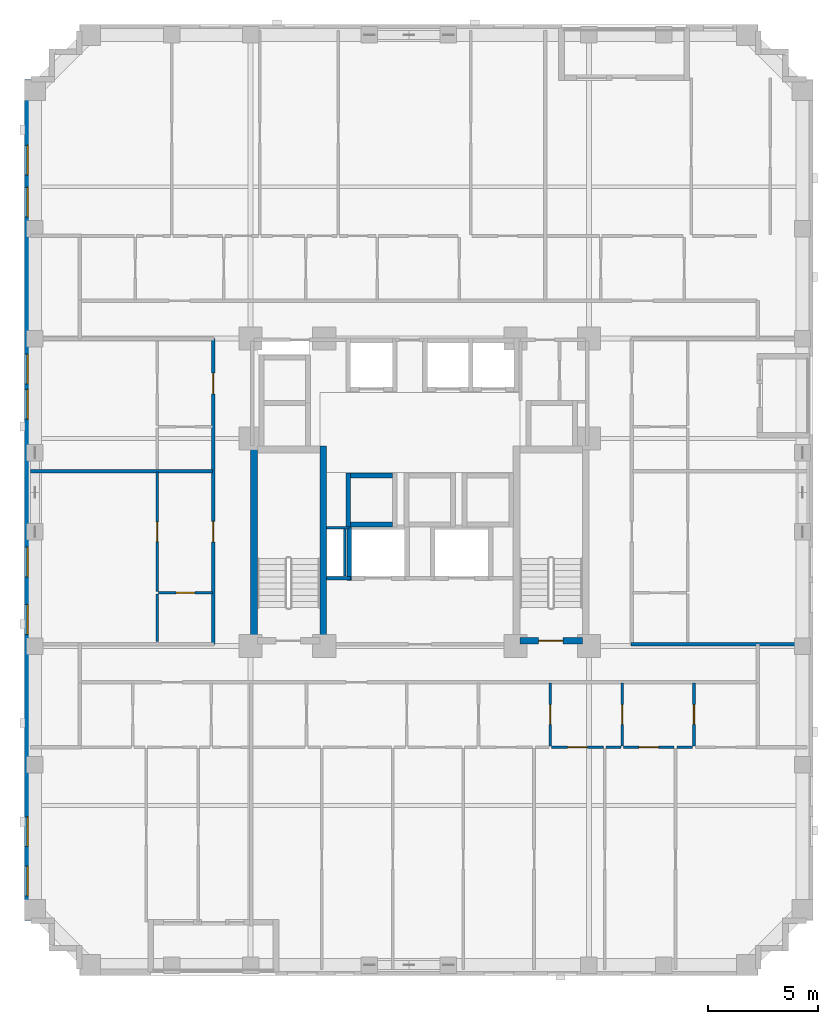
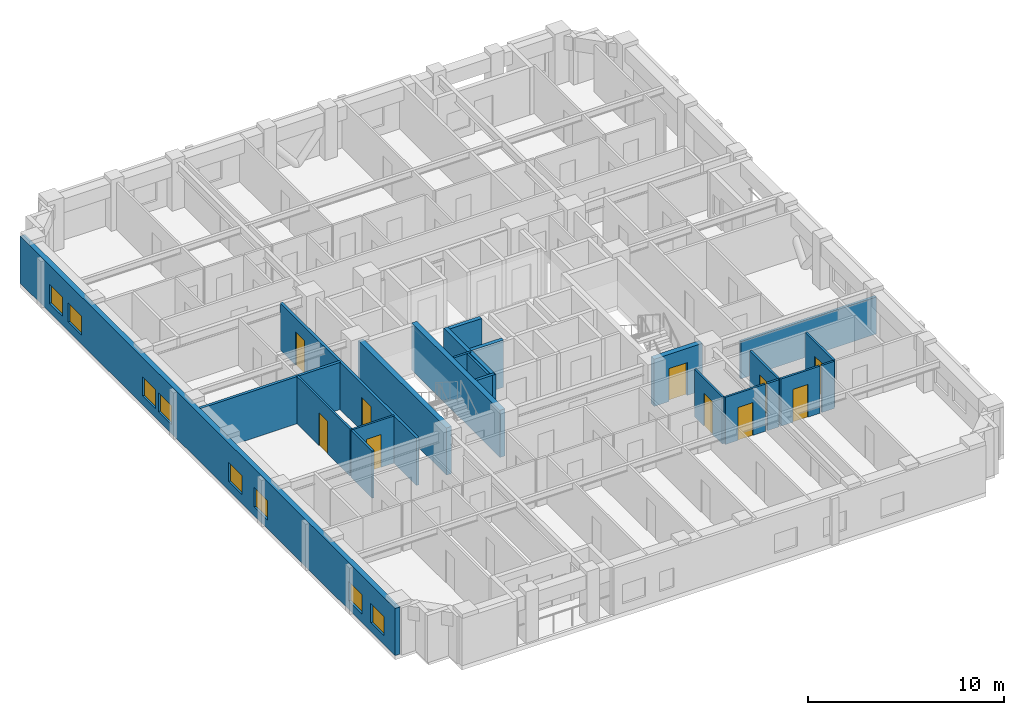
# One storey, part 4 of 12: 24 walls, 10 doors, 8 windows, 18 openings.
"""IFC4 building model written with IfcOpenShell, lengths in metres."""

from ifc_helpers import new_model, si_unit, derived_unit, direction, frame, frame_2d, origin, place, context, subcontext, project, spatial, rectangle, extrude, material, layer, layer_set, type_object, element, fill, save


model = new_model("IFC4")

# Units and contexts
model_context = context("Model", 3, precision=1e-05, world=origin(), true_north=direction((0.0, 1.0)))
body_context = subcontext(model_context, "Body", "Model", "MODEL_VIEW")
ifc_project = project(units=[si_unit("LENGTHUNIT", "METRE"), si_unit("AREAUNIT", "SQUARE_METRE"), si_unit("VOLUMEUNIT", "CUBIC_METRE"), si_unit("PLANEANGLEUNIT", "RADIAN"), si_unit("MASSUNIT", "GRAM", prefix="KILO"), derived_unit("THERMALTRANSMITTANCEUNIT", [(si_unit("MASSUNIT", "GRAM", prefix="KILO"), 1), (si_unit("TIMEUNIT", "SECOND"), -3), (si_unit("THERMODYNAMICTEMPERATUREUNIT", "KELVIN"), -1)])], contexts=[model_context])

# Site, building, storey
site_placement = place(None, origin())
site = spatial("IfcSite", under=ifc_project, at=site_placement, CompositionType="ELEMENT")
building_placement = place(site_placement, origin())
building = spatial("IfcBuilding", under=site, at=building_placement, Name="Korrvale Station Residences", CompositionType="ELEMENT")
storey_placement = place(building_placement, frame((0.0, 0.0, 110.300048828125)))
storey = spatial("IfcBuildingStorey", under=building, at=storey_placement, Name="L31", CompositionType="ELEMENT", Elevation=110.300048828125)

# Walls
ifc_material_1 = material(Name="Concrete C60/75", Category="concrete")
ifc_layer_1 = layer(ifc_material_1, 0.300048828125, Name="Concrete C60/75")
ifc_layer_set_1 = layer_set([ifc_layer_1], Name="Concrete C60/75")
wall_type_1 = type_object("IfcWallType", Name="WAL-CORE-300-C60", PredefinedType="SHEAR", material=ifc_layer_set_1)
for number, where, z_axis, x_axis, name in (
    (1, (17.949951171875, 15.10009765625, 0.0), (0.0, 0.0, 1.0), (0.0, 1.0, 0.0), "L31 ST-1 Core Shear Wall West"),
    (2, (21.10009765625, 15.10009765625, 0.0), (0.0, 0.0, 1.0), (0.0, 1.0, 0.0), "L31 ST-1 Core Shear Wall East"),
):
    element("IfcWall", number, at=place(storey_placement, frame(where, z_axis=z_axis, x_axis=x_axis)), inside=storey, type_object=wall_type_1, Name=name, PredefinedType="SHEAR", context=body_context, shape_type="SweptSolid", body=[
        extrude(rectangle(XDim=9.0, YDim=0.300048828125, at=frame_2d((4.5, 0.0))), origin(), (0.0, 0.0, 1.0), 2.93994140625),
    ])

# Wall, opening, door
wall_1_placement = place(storey_placement, frame((30.050048828125, 15.25, 0.0), z_axis=(0.0, 0.0, 1.0), x_axis=(1.0, 0.0, 0.0)))
wall_1 = element("IfcWall", 3, at=wall_1_placement, inside=storey, type_object=wall_type_1, Name="L31 ST-2 Core Shear Wall South", PredefinedType="SHEAR", context=body_context, shape_type="SweptSolid", body=[
    extrude(rectangle(XDim=2.849853515625, YDim=0.300048828125, at=frame_2d((1.4248046875, 0.0))), origin(), (0.0, 0.0, 1.0), 2.93994140625),
])
opening_1_placement = place(wall_1_placement, frame((0.860107421875, 0.0, 0.0)))
opening_1 = element("IfcOpeningElement", 4, at=opening_1_placement, cuts=wall_1, Name="Opening SD-1100", PredefinedType="OPENING", context=body_context, shape_type="SweptSolid", body=[
    extrude(rectangle(XDim=1.10009765625, YDim=2.050048828125, at=frame_2d((0.550048828125, 1.02490234375))), frame((0.0, 0.16015625, 0.0), z_axis=(0.0, -1.0, 0.0), x_axis=(1.0, 0.0, 0.0)), (0.0, 0.0, 1.0), 0.320068359375),
])
ifc_material_2 = material(Name="Hollow-metal fire-rated stair door with closer", Category="steel")
door_type_1 = type_object("IfcDoorType", Name="DR-STAIR-1100", OperationType="NOTDEFINED", PredefinedType="DOOR", material=ifc_material_2)
door_1_placement = place(opening_1_placement, origin())
door_1 = element("IfcDoor", 5, at=door_1_placement, inside=storey, type_object=door_type_1, Name="L31 ST-2 Exit Stair Door", OperationType="SINGLE_SWING_RIGHT", OverallHeight=2.050048828125, OverallWidth=1.10009765625, PredefinedType="DOOR", context=body_context, shape_type="SweptSolid", body=[
    extrude(rectangle(XDim=1.10009765625, YDim=2.050048828125, at=frame_2d((0.550048828125, 1.02490234375))), frame((0.0, 0.02490234375, 0.0), z_axis=(0.0, -1.0, 0.0), x_axis=(1.0, 0.0, 0.0)), (0.0, 0.0, 1.0), 0.050048828125),
])
fill(opening_1, door_1)

# Wall, openings, windows
ifc_material_3 = material(Name="Precast concrete C45/55", Category="concrete")
ifc_layer_2 = layer(ifc_material_3, 0.300048828125, Name="Precast concrete C45/55")
ifc_layer_set_2 = layer_set([ifc_layer_2], Name="Precast concrete C45/55")
wall_type_2 = type_object("IfcWallType", Name="WAL-EXT-PC300", PredefinedType="SOLIDWALL", material=ifc_layer_set_2)
wall_2_placement = place(storey_placement, frame((7.64990234375, 2.5, 0.0), z_axis=(0.0, 0.0, 1.0), x_axis=(0.0, 1.0, 0.0)))
wall_2 = element("IfcWall", 6, at=wall_2_placement, inside=storey, type_object=wall_type_2, Name="L31 West Exterior Precast Wall 1", PredefinedType="SOLIDWALL", context=body_context, shape_type="SweptSolid", body=[
    extrude(rectangle(XDim=38.300048828125, YDim=0.300048828125, at=frame_2d((19.14990234375, 0.0))), origin(), (0.0, 0.0, 1.0), 2.93994140625),
])
opening_2_placement = place(wall_2_placement, frame((3.3798828125, 0.0, 0.550048828125)))
opening_2 = element("IfcOpeningElement", 7, at=opening_2_placement, cuts=wall_2, Name="Opening W-10", PredefinedType="OPENING", context=body_context, shape_type="SweptSolid", body=[
    extrude(rectangle(XDim=1.35009765625, YDim=1.199951171875, at=frame_2d((0.675048828125, 0.60009765625))), frame((0.0, 0.16015625, 0.0), z_axis=(0.0, -1.0, 0.0), x_axis=(1.0, 0.0, 0.0)), (0.0, 0.0, 1.0), 0.320068359375),
])
opening_3_placement = place(wall_2_placement, frame((1.135009765625, 0.0, 0.550048828125)))
opening_3 = element("IfcOpeningElement", 8, at=opening_3_placement, cuts=wall_2, Name="Opening W-10", PredefinedType="OPENING", context=body_context, shape_type="SweptSolid", body=[
    extrude(rectangle(XDim=1.35009765625, YDim=1.199951171875, at=frame_2d((0.675048828125, 0.60009765625))), frame((0.0, 0.16015625, 0.0), z_axis=(0.0, -1.0, 0.0), x_axis=(1.0, 0.0, 0.0)), (0.0, 0.0, 1.0), 0.320068359375),
])
opening_4_placement = place(wall_2_placement, frame((33.946044921875, 0.0, 0.550048828125)))
opening_4 = element("IfcOpeningElement", 9, at=opening_4_placement, cuts=wall_2, Name="Opening W-10", PredefinedType="OPENING", context=body_context, shape_type="SweptSolid", body=[
    extrude(rectangle(XDim=1.35009765625, YDim=1.199951171875, at=frame_2d((0.675048828125, 0.60009765625))), frame((0.0, 0.16015625, 0.0), z_axis=(0.0, -1.0, 0.0), x_axis=(1.0, 0.0, 0.0)), (0.0, 0.0, 1.0), 0.320068359375),
])
opening_5_placement = place(wall_2_placement, frame((32.034912109375, 0.0, 0.550048828125)))
opening_5 = element("IfcOpeningElement", 10, at=opening_5_placement, cuts=wall_2, Name="Opening W-10", PredefinedType="OPENING", context=body_context, shape_type="SweptSolid", body=[
    extrude(rectangle(XDim=1.35009765625, YDim=1.199951171875, at=frame_2d((0.675048828125, 0.60009765625))), frame((0.0, 0.16015625, 0.0), z_axis=(0.0, -1.0, 0.0), x_axis=(1.0, 0.0, 0.0)), (0.0, 0.0, 1.0), 0.320068359375),
])
opening_6_placement = place(wall_2_placement, frame((15.64990234375, 0.0, 0.550048828125)))
opening_6 = element("IfcOpeningElement", 11, at=opening_6_placement, cuts=wall_2, Name="Opening W-10", PredefinedType="OPENING", context=body_context, shape_type="SweptSolid", body=[
    extrude(rectangle(XDim=1.35009765625, YDim=1.199951171875, at=frame_2d((0.675048828125, 0.60009765625))), frame((0.0, 0.16015625, 0.0), z_axis=(0.0, -1.0, 0.0), x_axis=(1.0, 0.0, 0.0)), (0.0, 0.0, 1.0), 0.320068359375),
])
opening_7_placement = place(wall_2_placement, frame((13.034912109375, 0.0, 0.550048828125)))
opening_7 = element("IfcOpeningElement", 12, at=opening_7_placement, cuts=wall_2, Name="Opening W-10", PredefinedType="OPENING", context=body_context, shape_type="SweptSolid", body=[
    extrude(rectangle(XDim=1.35009765625, YDim=1.199951171875, at=frame_2d((0.675048828125, 0.60009765625))), frame((0.0, 0.16015625, 0.0), z_axis=(0.0, -1.0, 0.0), x_axis=(1.0, 0.0, 0.0)), (0.0, 0.0, 1.0), 0.320068359375),
])
opening_8_placement = place(wall_2_placement, frame((22.8310546875, 0.0, 0.550048828125)))
opening_8 = element("IfcOpeningElement", 13, at=opening_8_placement, cuts=wall_2, Name="Opening W-10", PredefinedType="OPENING", context=body_context, shape_type="SweptSolid", body=[
    extrude(rectangle(XDim=1.35009765625, YDim=1.199951171875, at=frame_2d((0.675048828125, 0.60009765625))), frame((0.0, 0.16015625, 0.0), z_axis=(0.0, -1.0, 0.0), x_axis=(1.0, 0.0, 0.0)), (0.0, 0.0, 1.0), 0.320068359375),
])
opening_9_placement = place(wall_2_placement, frame((24.44091796875, 0.0, 0.550048828125)))
opening_9 = element("IfcOpeningElement", 14, at=opening_9_placement, cuts=wall_2, Name="Opening W-10", PredefinedType="OPENING", context=body_context, shape_type="SweptSolid", body=[
    extrude(rectangle(XDim=1.35009765625, YDim=1.199951171875, at=frame_2d((0.675048828125, 0.60009765625))), frame((0.0, 0.16015625, 0.0), z_axis=(0.0, -1.0, 0.0), x_axis=(1.0, 0.0, 0.0)), (0.0, 0.0, 1.0), 0.320068359375),
])
ifc_material_4 = material(Name="Thermally broken aluminium frame with triple low-e glazing", Category="aluminium")
window_type = type_object("IfcWindowType", Name="WIN-W10", PartitioningType="SINGLE_PANEL", PredefinedType="WINDOW", material=ifc_material_4)
window_1_placement = place(opening_2_placement, origin())
window_1 = element("IfcWindow", 15, at=window_1_placement, inside=storey, type_object=window_type, Name="L31 Punched Window 01", OverallHeight=1.199951171875, OverallWidth=1.35009765625, PartitioningType="SINGLE_PANEL", PredefinedType="WINDOW", context=body_context, shape_type="SweptSolid", body=[
    extrude(rectangle(XDim=1.35009765625, YDim=1.199951171875, at=frame_2d((0.675048828125, 0.60009765625))), frame((0.0, 0.030029296875, 0.0), z_axis=(0.0, -1.0, 0.0), x_axis=(1.0, 0.0, 0.0)), (0.0, 0.0, 1.0), 0.06005859375),
])
fill(opening_2, window_1)
window_2_placement = place(opening_3_placement, origin())
window_2 = element("IfcWindow", 16, at=window_2_placement, inside=storey, type_object=window_type, Name="L31 Punched Window 02", OverallHeight=1.199951171875, OverallWidth=1.35009765625, PartitioningType="SINGLE_PANEL", PredefinedType="WINDOW", context=body_context, shape_type="SweptSolid", body=[
    extrude(rectangle(XDim=1.35009765625, YDim=1.199951171875, at=frame_2d((0.675048828125, 0.60009765625))), frame((0.0, 0.030029296875, 0.0), z_axis=(0.0, -1.0, 0.0), x_axis=(1.0, 0.0, 0.0)), (0.0, 0.0, 1.0), 0.06005859375),
])
fill(opening_3, window_2)
window_3_placement = place(opening_4_placement, origin())
window_3 = element("IfcWindow", 17, at=window_3_placement, inside=storey, type_object=window_type, Name="L31 Punched Window 12", OverallHeight=1.199951171875, OverallWidth=1.35009765625, PartitioningType="SINGLE_PANEL", PredefinedType="WINDOW", context=body_context, shape_type="SweptSolid", body=[
    extrude(rectangle(XDim=1.35009765625, YDim=1.199951171875, at=frame_2d((0.675048828125, 0.60009765625))), frame((0.0, 0.030029296875, 0.0), z_axis=(0.0, -1.0, 0.0), x_axis=(1.0, 0.0, 0.0)), (0.0, 0.0, 1.0), 0.06005859375),
])
fill(opening_4, window_3)
window_4_placement = place(opening_5_placement, origin())
window_4 = element("IfcWindow", 18, at=window_4_placement, inside=storey, type_object=window_type, Name="L31 Punched Window 13", OverallHeight=1.199951171875, OverallWidth=1.35009765625, PartitioningType="SINGLE_PANEL", PredefinedType="WINDOW", context=body_context, shape_type="SweptSolid", body=[
    extrude(rectangle(XDim=1.35009765625, YDim=1.199951171875, at=frame_2d((0.675048828125, 0.60009765625))), frame((0.0, 0.030029296875, 0.0), z_axis=(0.0, -1.0, 0.0), x_axis=(1.0, 0.0, 0.0)), (0.0, 0.0, 1.0), 0.06005859375),
])
fill(opening_5, window_4)
window_5_placement = place(opening_6_placement, origin())
window_5 = element("IfcWindow", 19, at=window_5_placement, inside=storey, type_object=window_type, Name="L31 Punched Window 19", OverallHeight=1.199951171875, OverallWidth=1.35009765625, PartitioningType="SINGLE_PANEL", PredefinedType="WINDOW", context=body_context, shape_type="SweptSolid", body=[
    extrude(rectangle(XDim=1.35009765625, YDim=1.199951171875, at=frame_2d((0.675048828125, 0.60009765625))), frame((0.0, 0.030029296875, 0.0), z_axis=(0.0, -1.0, 0.0), x_axis=(1.0, 0.0, 0.0)), (0.0, 0.0, 1.0), 0.06005859375),
])
fill(opening_6, window_5)
window_6_placement = place(opening_7_placement, origin())
window_6 = element("IfcWindow", 20, at=window_6_placement, inside=storey, type_object=window_type, Name="L31 Punched Window 20", OverallHeight=1.199951171875, OverallWidth=1.35009765625, PartitioningType="SINGLE_PANEL", PredefinedType="WINDOW", context=body_context, shape_type="SweptSolid", body=[
    extrude(rectangle(XDim=1.35009765625, YDim=1.199951171875, at=frame_2d((0.675048828125, 0.60009765625))), frame((0.0, 0.030029296875, 0.0), z_axis=(0.0, -1.0, 0.0), x_axis=(1.0, 0.0, 0.0)), (0.0, 0.0, 1.0), 0.06005859375),
])
fill(opening_7, window_6)
window_7_placement = place(opening_8_placement, origin())
window_7 = element("IfcWindow", 21, at=window_7_placement, inside=storey, type_object=window_type, Name="L31 Punched Window 21", OverallHeight=1.199951171875, OverallWidth=1.35009765625, PartitioningType="SINGLE_PANEL", PredefinedType="WINDOW", context=body_context, shape_type="SweptSolid", body=[
    extrude(rectangle(XDim=1.35009765625, YDim=1.199951171875, at=frame_2d((0.675048828125, 0.60009765625))), frame((0.0, 0.030029296875, 0.0), z_axis=(0.0, -1.0, 0.0), x_axis=(1.0, 0.0, 0.0)), (0.0, 0.0, 1.0), 0.06005859375),
])
fill(opening_8, window_7)
window_8_placement = place(opening_9_placement, origin())
window_8 = element("IfcWindow", 22, at=window_8_placement, inside=storey, type_object=window_type, Name="L31 Punched Window 22", OverallHeight=1.199951171875, OverallWidth=1.35009765625, PartitioningType="SINGLE_PANEL", PredefinedType="WINDOW", context=body_context, shape_type="SweptSolid", body=[
    extrude(rectangle(XDim=1.35009765625, YDim=1.199951171875, at=frame_2d((0.675048828125, 0.60009765625))), frame((0.0, 0.030029296875, 0.0), z_axis=(0.0, -1.0, 0.0), x_axis=(1.0, 0.0, 0.0)), (0.0, 0.0, 1.0), 0.06005859375),
])
fill(opening_9, window_8)

# Walls
ifc_material_5 = material(Name="Acoustic steel-stud gypsum board partition", Category="steel")
ifc_layer_3 = layer(ifc_material_5, 0.1201171875, Name="Acoustic steel-stud gypsum board partition")
ifc_layer_set_3 = layer_set([ifc_layer_3], Name="Acoustic steel-stud gypsum board partition")
wall_type_3 = type_object("IfcWallType", Name="WAL-PART-125", PredefinedType="PARTITIONING", material=ifc_layer_set_3)
wall_3_placement = place(storey_placement, frame((22.080078125, 18.199951171875, 0.0), z_axis=(0.0, 0.0, 1.0), x_axis=(0.0, 1.0, 0.0)))
element("IfcWall", 23, at=wall_3_placement, inside=storey, type_object=wall_type_3, Name="L31 Core Partition CW-RSWT", PredefinedType="PARTITIONING", context=body_context, shape_type="SweptSolid", body=[
    extrude(rectangle(XDim=2.1201171875, YDim=0.1201171875, at=frame_2d((1.06005859375, 0.0))), origin(), (0.0, 0.0, 1.0), 2.93994140625),
])
wall_4_placement = place(storey_placement, frame((22.280029296875, 20.3798828125, 0.0), z_axis=(0.0, 0.0, 1.0), x_axis=(-1.0, 0.0, 0.0)))
element("IfcWall", 24, at=wall_4_placement, inside=storey, type_object=wall_type_3, Name="L31 Core Partition CW-RSWT-N", PredefinedType="PARTITIONING", context=body_context, shape_type="SweptSolid", body=[
    extrude(rectangle(XDim=1.02001953125, YDim=0.1201171875, at=frame_2d((0.510009765625, 0.0))), origin(), (0.0, 0.0, 1.0), 2.93994140625),
])

# Wall, opening, door
wall_5_placement = place(storey_placement, frame((31.43994140625, 10.4599609375, 0.0), z_axis=(0.0, 0.0, 1.0), x_axis=(0.0, 1.0, 0.0)))
wall_5 = element("IfcWall", 25, at=wall_5_placement, inside=storey, type_object=wall_type_3, Name="L31 Suite Partition U02-V34", PredefinedType="PARTITIONING", context=body_context, shape_type="SweptSolid", body=[
    extrude(rectangle(XDim=2.85009765625, YDim=0.1201171875, at=frame_2d((1.425048828125, 0.0))), origin(), (0.0, 0.0, 1.0), 2.93994140625),
])
opening_10_placement = place(wall_5_placement, frame((0.97509765625, 0.0, 0.0)))
opening_10 = element("IfcOpeningElement", 26, at=opening_10_placement, cuts=wall_5, Name="Opening DI-900", PredefinedType="OPENING", context=body_context, shape_type="SweptSolid", body=[
    extrude(rectangle(XDim=0.89990234375, YDim=2.050048828125, at=frame_2d((0.449951171875, 1.02490234375))), frame((0.0, 0.070068359375, 0.0), z_axis=(0.0, -1.0, 0.0), x_axis=(1.0, 0.0, 0.0)), (0.0, 0.0, 1.0), 0.14013671875),
])
ifc_material_6 = material(Name="Painted solid-core timber interior room door", Category="wood")
door_type_2 = type_object("IfcDoorType", Name="DR-INT-900", OperationType="NOTDEFINED", PredefinedType="DOOR", material=ifc_material_6)
door_2_placement = place(opening_10_placement, origin())
door_2 = element("IfcDoor", 27, at=door_2_placement, inside=storey, type_object=door_type_2, Name="L31 Studio Apartment L31-U02 Home Study Room Door", OperationType="SINGLE_SWING_LEFT", OverallHeight=2.050048828125, OverallWidth=0.89990234375, PredefinedType="DOOR", context=body_context, shape_type="SweptSolid", body=[
    extrude(rectangle(XDim=0.89990234375, YDim=2.050048828125, at=frame_2d((0.449951171875, 1.02490234375))), frame((0.0, 0.02490234375, 0.0), z_axis=(0.0, -1.0, 0.0), x_axis=(1.0, 0.0, 0.0)), (0.0, 0.0, 1.0), 0.050048828125),
])
fill(opening_10, door_2)

wall_6_placement = place(storey_placement, frame((34.7099609375, 10.4599609375, 0.0), z_axis=(0.0, 0.0, 1.0), x_axis=(0.0, 1.0, 0.0)))
wall_6 = element("IfcWall", 28, at=wall_6_placement, inside=storey, type_object=wall_type_3, Name="L31 Suite Partition U02-V45", PredefinedType="PARTITIONING", context=body_context, shape_type="SweptSolid", body=[
    extrude(rectangle(XDim=2.85009765625, YDim=0.1201171875, at=frame_2d((1.425048828125, 0.0))), origin(), (0.0, 0.0, 1.0), 2.93994140625),
])
opening_11_placement = place(wall_6_placement, frame((0.97509765625, 0.0, 0.0)))
opening_11 = element("IfcOpeningElement", 29, at=opening_11_placement, cuts=wall_6, Name="Opening DI-900", PredefinedType="OPENING", context=body_context, shape_type="SweptSolid", body=[
    extrude(rectangle(XDim=0.89990234375, YDim=2.050048828125, at=frame_2d((0.449951171875, 1.02490234375))), frame((0.0, 0.070068359375, 0.0), z_axis=(0.0, -1.0, 0.0), x_axis=(1.0, 0.0, 0.0)), (0.0, 0.0, 1.0), 0.14013671875),
])
door_3_placement = place(opening_11_placement, origin())
door_3 = element("IfcDoor", 30, at=door_3_placement, inside=storey, type_object=door_type_2, Name="L31 Studio Apartment L31-U02 Home Study Room Door", OperationType="SINGLE_SWING_LEFT", OverallHeight=2.050048828125, OverallWidth=0.89990234375, PredefinedType="DOOR", context=body_context, shape_type="SweptSolid", body=[
    extrude(rectangle(XDim=0.89990234375, YDim=2.050048828125, at=frame_2d((0.449951171875, 1.02490234375))), frame((0.0, 0.02490234375, 0.0), z_axis=(0.0, -1.0, 0.0), x_axis=(1.0, 0.0, 0.0)), (0.0, 0.0, 1.0), 0.050048828125),
])
fill(opening_11, door_3)

wall_7_placement = place(storey_placement, frame((31.5, 10.39990234375, 0.0), z_axis=(0.0, 0.0, 1.0), x_axis=(1.0, 0.0, 0.0)))
wall_7 = element("IfcWall", 31, at=wall_7_placement, inside=storey, type_object=wall_type_3, Name="L31 Suite Partition U02-H411", PredefinedType="PARTITIONING", context=body_context, shape_type="SweptSolid", body=[
    extrude(rectangle(XDim=2.360107421875, YDim=0.1201171875, at=frame_2d((1.18017578125, 0.0))), origin(), (0.0, 0.0, 1.0), 2.93994140625),
])
opening_12_placement = place(wall_7_placement, frame((0.72998046875, 0.0, 0.0)))
opening_12 = element("IfcOpeningElement", 32, at=opening_12_placement, cuts=wall_7, Name="Opening DI-900", PredefinedType="OPENING", context=body_context, shape_type="SweptSolid", body=[
    extrude(rectangle(XDim=0.89990234375, YDim=2.050048828125, at=frame_2d((0.449951171875, 1.02490234375))), frame((0.0, 0.070068359375, 0.0), z_axis=(0.0, -1.0, 0.0), x_axis=(1.0, 0.0, 0.0)), (0.0, 0.0, 1.0), 0.14013671875),
])
door_4_placement = place(opening_12_placement, origin())
door_4 = element("IfcDoor", 33, at=door_4_placement, inside=storey, type_object=door_type_2, Name="L31 Studio Apartment L31-U02 Home Study Room Door", OperationType="SINGLE_SWING_RIGHT", OverallHeight=2.050048828125, OverallWidth=0.89990234375, PredefinedType="DOOR", context=body_context, shape_type="SweptSolid", body=[
    extrude(rectangle(XDim=0.89990234375, YDim=2.050048828125, at=frame_2d((0.449951171875, 1.02490234375))), frame((0.0, 0.02490234375, 0.0), z_axis=(0.0, -1.0, 0.0), x_axis=(1.0, 0.0, 0.0)), (0.0, 0.0, 1.0), 0.050048828125),
])
fill(opening_12, door_4)

# Wall
wall_8_placement = place(storey_placement, frame((33.97998046875, 10.39990234375, 0.0), z_axis=(0.0, 0.0, 1.0), x_axis=(1.0, 0.0, 0.0)))
element("IfcWall", 34, at=wall_8_placement, inside=storey, type_object=wall_type_3, Name="L31 Suite Partition U02-H412", PredefinedType="PARTITIONING", context=body_context, shape_type="SweptSolid", body=[
    extrude(rectangle(XDim=0.669921875, YDim=0.1201171875, at=frame_2d((0.3349609375, 0.0))), origin(), (0.0, 0.0, 1.0), 2.93994140625),
])

# Wall, opening, door
wall_9_placement = place(storey_placement, frame((37.97998046875, 10.4599609375, 0.0), z_axis=(0.0, 0.0, 1.0), x_axis=(0.0, 1.0, 0.0)))
wall_9 = element("IfcWall", 35, at=wall_9_placement, inside=storey, type_object=wall_type_3, Name="L31 Suite Partition U02-V56", PredefinedType="PARTITIONING", context=body_context, shape_type="SweptSolid", body=[
    extrude(rectangle(XDim=2.85009765625, YDim=0.1201171875, at=frame_2d((1.425048828125, 0.0))), origin(), (0.0, 0.0, 1.0), 2.93994140625),
])
opening_13_placement = place(wall_9_placement, frame((0.97509765625, 0.0, 0.0)))
opening_13 = element("IfcOpeningElement", 36, at=opening_13_placement, cuts=wall_9, Name="Opening DI-900", PredefinedType="OPENING", context=body_context, shape_type="SweptSolid", body=[
    extrude(rectangle(XDim=0.89990234375, YDim=2.050048828125, at=frame_2d((0.449951171875, 1.02490234375))), frame((0.0, 0.070068359375, 0.0), z_axis=(0.0, -1.0, 0.0), x_axis=(1.0, 0.0, 0.0)), (0.0, 0.0, 1.0), 0.14013671875),
])
door_5_placement = place(opening_13_placement, origin())
door_5 = element("IfcDoor", 37, at=door_5_placement, inside=storey, type_object=door_type_2, Name="L31 Studio Apartment L31-U02 Home Study Room Door", OperationType="SINGLE_SWING_LEFT", OverallHeight=2.050048828125, OverallWidth=0.89990234375, PredefinedType="DOOR", context=body_context, shape_type="SweptSolid", body=[
    extrude(rectangle(XDim=0.89990234375, YDim=2.050048828125, at=frame_2d((0.449951171875, 1.02490234375))), frame((0.0, 0.02490234375, 0.0), z_axis=(0.0, -1.0, 0.0), x_axis=(1.0, 0.0, 0.0)), (0.0, 0.0, 1.0), 0.050048828125),
])
fill(opening_13, door_5)

wall_10_placement = place(storey_placement, frame((34.77001953125, 10.39990234375, 0.0), z_axis=(0.0, 0.0, 1.0), x_axis=(1.0, 0.0, 0.0)))
wall_10 = element("IfcWall", 38, at=wall_10_placement, inside=storey, type_object=wall_type_3, Name="L31 Suite Partition U02-H512", PredefinedType="PARTITIONING", context=body_context, shape_type="SweptSolid", body=[
    extrude(rectangle(XDim=2.31005859375, YDim=0.1201171875, at=frame_2d((1.155029296875, 0.0))), origin(), (0.0, 0.0, 1.0), 2.93994140625),
])
opening_14_placement = place(wall_10_placement, frame((0.705078125, 0.0, 0.0)))
opening_14 = element("IfcOpeningElement", 39, at=opening_14_placement, cuts=wall_10, Name="Opening DI-900", PredefinedType="OPENING", context=body_context, shape_type="SweptSolid", body=[
    extrude(rectangle(XDim=0.89990234375, YDim=2.050048828125, at=frame_2d((0.449951171875, 1.02490234375))), frame((0.0, 0.070068359375, 0.0), z_axis=(0.0, -1.0, 0.0), x_axis=(1.0, 0.0, 0.0)), (0.0, 0.0, 1.0), 0.14013671875),
])
door_6_placement = place(opening_14_placement, origin())
door_6 = element("IfcDoor", 40, at=door_6_placement, inside=storey, type_object=door_type_2, Name="L31 Studio Apartment L31-U02 Home Study Room Door", OperationType="SINGLE_SWING_RIGHT", OverallHeight=2.050048828125, OverallWidth=0.89990234375, PredefinedType="DOOR", context=body_context, shape_type="SweptSolid", body=[
    extrude(rectangle(XDim=0.89990234375, YDim=2.050048828125, at=frame_2d((0.449951171875, 1.02490234375))), frame((0.0, 0.02490234375, 0.0), z_axis=(0.0, -1.0, 0.0), x_axis=(1.0, 0.0, 0.0)), (0.0, 0.0, 1.0), 0.050048828125),
])
fill(opening_14, door_6)

# Wall
wall_11_placement = place(storey_placement, frame((37.199951171875, 10.39990234375, 0.0), z_axis=(0.0, 0.0, 1.0), x_axis=(1.0, 0.0, 0.0)))
element("IfcWall", 41, at=wall_11_placement, inside=storey, type_object=wall_type_3, Name="L31 Suite Partition U02-H513", PredefinedType="PARTITIONING", context=body_context, shape_type="SweptSolid", body=[
    extrude(rectangle(XDim=0.719970703125, YDim=0.1201171875, at=frame_2d((0.35986328125, 0.0))), origin(), (0.0, 0.0, 1.0), 2.93994140625),
])

# Wall, opening, door
wall_12_placement = place(storey_placement, frame((13.610107421875, 17.428955078125, 0.0), z_axis=(0.0, 0.0, 1.0), x_axis=(1.0, 0.0, 0.0)))
wall_12 = element("IfcWall", 42, at=wall_12_placement, inside=storey, type_object=wall_type_3, Name="L31 Suite Partition U05-H01", PredefinedType="PARTITIONING", context=body_context, shape_type="SweptSolid", body=[
    extrude(rectangle(XDim=2.449951171875, YDim=0.1201171875, at=frame_2d((1.22509765625, 0.0))), origin(), (0.0, 0.0, 1.0), 2.93994140625),
])
opening_15_placement = place(wall_12_placement, frame((0.794921875, 0.0, 0.0)))
opening_15 = element("IfcOpeningElement", 43, at=opening_15_placement, cuts=wall_12, Name="Opening DB-860", PredefinedType="OPENING", context=body_context, shape_type="SweptSolid", body=[
    extrude(rectangle(XDim=0.860107421875, YDim=2.050048828125, at=frame_2d((0.43017578125, 1.02490234375))), frame((0.0, 0.070068359375, 0.0), z_axis=(0.0, -1.0, 0.0), x_axis=(1.0, 0.0, 0.0)), (0.0, 0.0, 1.0), 0.14013671875),
])
ifc_material_7 = material(Name="Moisture-resistant solid-core bathroom door", Category="timber")
door_type_3 = type_object("IfcDoorType", Name="DR-BATH-860", OperationType="NOTDEFINED", PredefinedType="DOOR", material=ifc_material_7)
door_7_placement = place(opening_15_placement, origin())
door_7 = element("IfcDoor", 44, at=door_7_placement, inside=storey, type_object=door_type_3, Name="L31 Studio Apartment L31-U05 Bathroom Door", OperationType="SINGLE_SWING_LEFT", OverallHeight=2.050048828125, OverallWidth=0.860107421875, PredefinedType="DOOR", context=body_context, shape_type="SweptSolid", body=[
    extrude(rectangle(XDim=0.860107421875, YDim=2.050048828125, at=frame_2d((0.43017578125, 1.02490234375))), frame((0.0, 0.02490234375, 0.0), z_axis=(0.0, -1.0, 0.0), x_axis=(1.0, 0.0, 0.0)), (0.0, 0.0, 1.0), 0.050048828125),
])
fill(opening_15, door_7)

# Wall
wall_13_placement = place(storey_placement, frame((13.550048828125, 15.2099609375, 0.0), z_axis=(0.0, 0.0, 1.0), x_axis=(0.0, 1.0, 0.0)))
element("IfcWall", 45, at=wall_13_placement, inside=storey, type_object=wall_type_3, Name="L31 Suite Partition U05-V02", PredefinedType="PARTITIONING", context=body_context, shape_type="SweptSolid", body=[
    extrude(rectangle(XDim=2.158935546875, YDim=0.1201171875, at=frame_2d((1.07958984375, 0.0))), origin(), (0.0, 0.0, 1.0), 2.93994140625),
])

# Wall, opening, door
wall_14_placement = place(storey_placement, frame((13.550048828125, 17.489013671875, 0.0), z_axis=(0.0, 0.0, 1.0), x_axis=(0.0, 1.0, 0.0)))
wall_14 = element("IfcWall", 46, at=wall_14_placement, inside=storey, type_object=wall_type_3, Name="L31 Suite Partition U05-V12", PredefinedType="PARTITIONING", context=body_context, shape_type="SweptSolid", body=[
    extrude(rectangle(XDim=5.43310546875, YDim=0.1201171875, at=frame_2d((2.716552734375, 0.0))), origin(), (0.0, 0.0, 1.0), 2.93994140625),
])
opening_16_placement = place(wall_14_placement, frame((2.26611328125, 0.0, 0.0)))
opening_16 = element("IfcOpeningElement", 47, at=opening_16_placement, cuts=wall_14, Name="Opening DI-900", PredefinedType="OPENING", context=body_context, shape_type="SweptSolid", body=[
    extrude(rectangle(XDim=0.89990234375, YDim=2.050048828125, at=frame_2d((0.449951171875, 1.02490234375))), frame((0.0, 0.070068359375, 0.0), z_axis=(0.0, -1.0, 0.0), x_axis=(1.0, 0.0, 0.0)), (0.0, 0.0, 1.0), 0.14013671875),
])
door_8_placement = place(opening_16_placement, origin())
door_8 = element("IfcDoor", 48, at=door_8_placement, inside=storey, type_object=door_type_2, Name="L31 Studio Apartment L31-U05 Kitchen Door", OperationType="SINGLE_SWING_RIGHT", OverallHeight=2.050048828125, OverallWidth=0.89990234375, PredefinedType="DOOR", context=body_context, shape_type="SweptSolid", body=[
    extrude(rectangle(XDim=0.89990234375, YDim=2.050048828125, at=frame_2d((0.449951171875, 1.02490234375))), frame((0.0, 0.02490234375, 0.0), z_axis=(0.0, -1.0, 0.0), x_axis=(1.0, 0.0, 0.0)), (0.0, 0.0, 1.0), 0.050048828125),
])
fill(opening_16, door_8)

# Walls
ifc_material_8 = material(Name="Fire-rated twin-stud gypsum and mineral wool shaftwall assembly", Category="gypsum")
ifc_layer_4 = layer(ifc_material_8, 0.159912109375, Name="Fire-rated twin-stud gypsum and mineral wool shaftwall assembly")
ifc_layer_set_4 = layer_set([ifc_layer_4], Name="Fire-rated twin-stud gypsum and mineral wool shaftwall assembly")
wall_type_4 = type_object("IfcWallType", Name="WAL-PART-200", PredefinedType="PARTITIONING", material=ifc_layer_set_4)
wall_15_placement = place(storey_placement, frame((21.25, 18.080078125, 0.0), z_axis=(0.0, 0.0, 1.0), x_axis=(1.0, 0.0, 0.0)))
element("IfcWall", 49, at=wall_15_placement, inside=storey, type_object=wall_type_4, Name="L31 Core Partition CW-FFL-N1", PredefinedType="PARTITIONING", context=body_context, shape_type="SweptSolid", body=[
    extrude(rectangle(XDim=1.10009765625, YDim=0.159912109375, at=frame_2d((0.550048828125, 0.0))), origin(), (0.0, 0.0, 1.0), 2.93994140625),
])
wall_16_placement = place(storey_placement, frame((35.110107421875, 15.090087890625, 0.0), z_axis=(0.0, 0.0, 1.0), x_axis=(1.0, 0.0, 0.0)))
element("IfcWall", 50, at=wall_16_placement, inside=storey, type_object=wall_type_4, Name="L31 East Wing South Corridor Wall", PredefinedType="PARTITIONING", context=body_context, shape_type="SweptSolid", body=[
    extrude(rectangle(XDim=8.010009765625, YDim=0.159912109375, at=frame_2d((4.0048828125, 0.0))), origin(), (0.0, 0.0, 1.0), 2.31298828125),
])
wall_17_placement = place(storey_placement, frame((7.780029296875, 22.9619140625, 0.0), z_axis=(0.0, 0.0, 1.0), x_axis=(1.0, 0.0, 0.0)))
element("IfcWall", 51, at=wall_17_placement, inside=storey, type_object=wall_type_4, Name="L31 Demising Wall U05-N", PredefinedType="PARTITIONING", context=body_context, shape_type="SweptSolid", body=[
    extrude(rectangle(XDim=8.280029296875, YDim=0.159912109375, at=frame_2d((4.14013671875, 0.0))), origin(), (0.0, 0.0, 1.0), 2.93994140625),
])

# Wall, openings, doors
wall_18_placement = place(storey_placement, frame((16.10009765625, 15.070068359375, 0.0), z_axis=(0.0, 0.0, 1.0), x_axis=(0.0, 1.0, 0.0)))
wall_18 = element("IfcWall", 52, at=wall_18_placement, inside=storey, type_object=wall_type_4, Name="L31 Rated Corridor Wall W", PredefinedType="PARTITIONING", context=body_context, shape_type="SweptSolid", body=[
    extrude(rectangle(XDim=13.929931640625, YDim=0.159912109375, at=frame_2d((6.96484375, 0.0))), origin(), (0.0, 0.0, 1.0), 2.93994140625),
])
opening_17_placement = place(wall_18_placement, frame((4.660888671875, 0.0, 0.0)))
opening_17 = element("IfcOpeningElement", 53, at=opening_17_placement, cuts=wall_18, Name="Opening UD-950", PredefinedType="OPENING", context=body_context, shape_type="SweptSolid", body=[
    extrude(rectangle(XDim=0.949951171875, YDim=2.10009765625, at=frame_2d((0.47509765625, 1.050048828125))), frame((0.0, 0.08984375, 0.0), z_axis=(0.0, -1.0, 0.0), x_axis=(1.0, 0.0, 0.0)), (0.0, 0.0, 1.0), 0.179931640625),
])
opening_18_placement = place(wall_18_placement, frame((11.410888671875, 0.0, 0.0)))
opening_18 = element("IfcOpeningElement", 54, at=opening_18_placement, cuts=wall_18, Name="Opening UD-950", PredefinedType="OPENING", context=body_context, shape_type="SweptSolid", body=[
    extrude(rectangle(XDim=0.949951171875, YDim=2.10009765625, at=frame_2d((0.47509765625, 1.050048828125))), frame((0.0, 0.08984375, 0.0), z_axis=(0.0, -1.0, 0.0), x_axis=(1.0, 0.0, 0.0)), (0.0, 0.0, 1.0), 0.179931640625),
])
ifc_material_9 = material(Name="Solid-core acoustic oak apartment entrance door", Category="timber")
door_type_4 = type_object("IfcDoorType", Name="DR-UNIT-950", OperationType="NOTDEFINED", PredefinedType="DOOR", material=ifc_material_9)
door_9_placement = place(opening_17_placement, origin())
door_9 = element("IfcDoor", 55, at=door_9_placement, inside=storey, type_object=door_type_4, Name="L31 Apartment L31-U05 Entrance Door", OperationType="SINGLE_SWING_LEFT", OverallHeight=2.10009765625, OverallWidth=0.949951171875, PredefinedType="DOOR", context=body_context, shape_type="SweptSolid", body=[
    extrude(rectangle(XDim=0.949951171875, YDim=2.10009765625, at=frame_2d((0.47509765625, 1.050048828125))), frame((0.0, 0.02490234375, 0.0), z_axis=(0.0, -1.0, 0.0), x_axis=(1.0, 0.0, 0.0)), (0.0, 0.0, 1.0), 0.050048828125),
])
fill(opening_17, door_9)
door_10_placement = place(opening_18_placement, origin())
door_10 = element("IfcDoor", 56, at=door_10_placement, inside=storey, type_object=door_type_4, Name="L31 Apartment L31-U06 Entrance Door", OperationType="SINGLE_SWING_RIGHT", OverallHeight=2.10009765625, OverallWidth=0.949951171875, PredefinedType="DOOR", context=body_context, shape_type="SweptSolid", body=[
    extrude(rectangle(XDim=0.949951171875, YDim=2.10009765625, at=frame_2d((0.47509765625, 1.050048828125))), frame((0.0, 0.02490234375, 0.0), z_axis=(0.0, -1.0, 0.0), x_axis=(1.0, 0.0, 0.0)), (0.0, 0.0, 1.0), 0.050048828125),
])
fill(opening_18, door_10)

# Walls
ifc_layer_5 = layer(ifc_material_1, 0.219970703125, Name="Concrete C60/75")
ifc_layer_set_5 = layer_set([ifc_layer_5], Name="Concrete C60/75")
wall_type_5 = type_object("IfcWallType", Name="WAL-SHAFT-220-C60", PredefinedType="SHEAR", material=ifc_layer_set_5)
for number, where, z_axis, x_axis, name in (
    (57, (22.35009765625, 20.5400390625, 0.0), (0.0, 0.0, 1.0), (1.0, 0.0, 0.0), "L31 Elevator PM-1 Hoistway Wall South"),
    (58, (22.35009765625, 22.760009765625, 0.0), (0.0, 0.0, 1.0), (1.0, 0.0, 0.0), "L31 Elevator PM-1 Hoistway Wall North"),
):
    element("IfcWall", number, at=place(storey_placement, frame(where, z_axis=z_axis, x_axis=x_axis)), inside=storey, type_object=wall_type_5, Name=name, PredefinedType="SHEAR", context=body_context, shape_type="SweptSolid", body=[
        extrude(rectangle(XDim=1.89990234375, YDim=0.219970703125, at=frame_2d((0.949951171875, 0.0))), origin(), (0.0, 0.0, 1.0), 2.93994140625),
    ])
wall_19_placement = place(storey_placement, frame((22.239990234375, 20.429931640625, 0.0), z_axis=(0.0, 0.0, 1.0), x_axis=(0.0, 1.0, 0.0)))
element("IfcWall", 59, at=wall_19_placement, inside=storey, type_object=wall_type_5, Name="L31 Elevator PM-1 Hoistway Wall West", PredefinedType="SHEAR", context=body_context, shape_type="SweptSolid", body=[
    extrude(rectangle(XDim=2.440185546875, YDim=0.219970703125, at=frame_2d((1.22021484375, 0.0))), origin(), (0.0, 0.0, 1.0), 2.93994140625),
])
wall_20_placement = place(storey_placement, frame((22.2900390625, 17.97998046875, 0.0), z_axis=(0.0, 0.0, 1.0), x_axis=(0.0, 1.0, 0.0)))
element("IfcWall", 60, at=wall_20_placement, inside=storey, type_object=wall_type_5, Name="L31 Elevator FFL-1 Hoistway Wall West", PredefinedType="SHEAR", context=body_context, shape_type="SweptSolid", body=[
    extrude(rectangle(XDim=2.5400390625, YDim=0.219970703125, at=frame_2d((1.27001953125, 0.0))), origin(), (0.0, 0.0, 1.0), 2.93994140625),
])

save(model, "model.ifc")
